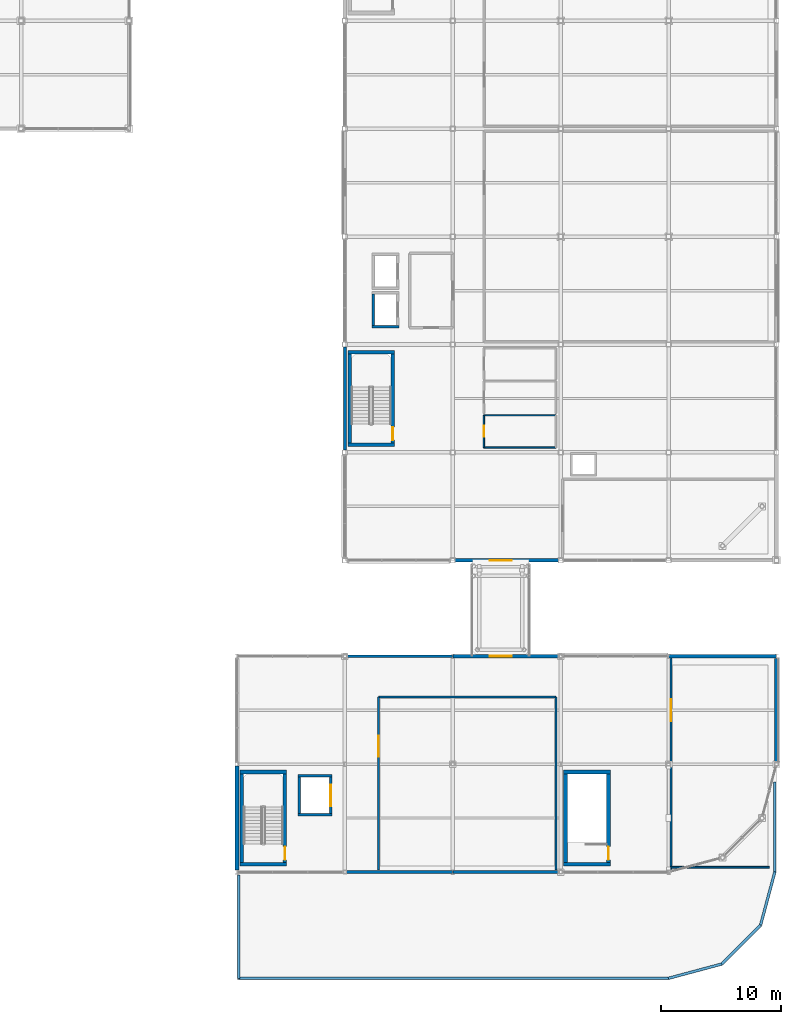
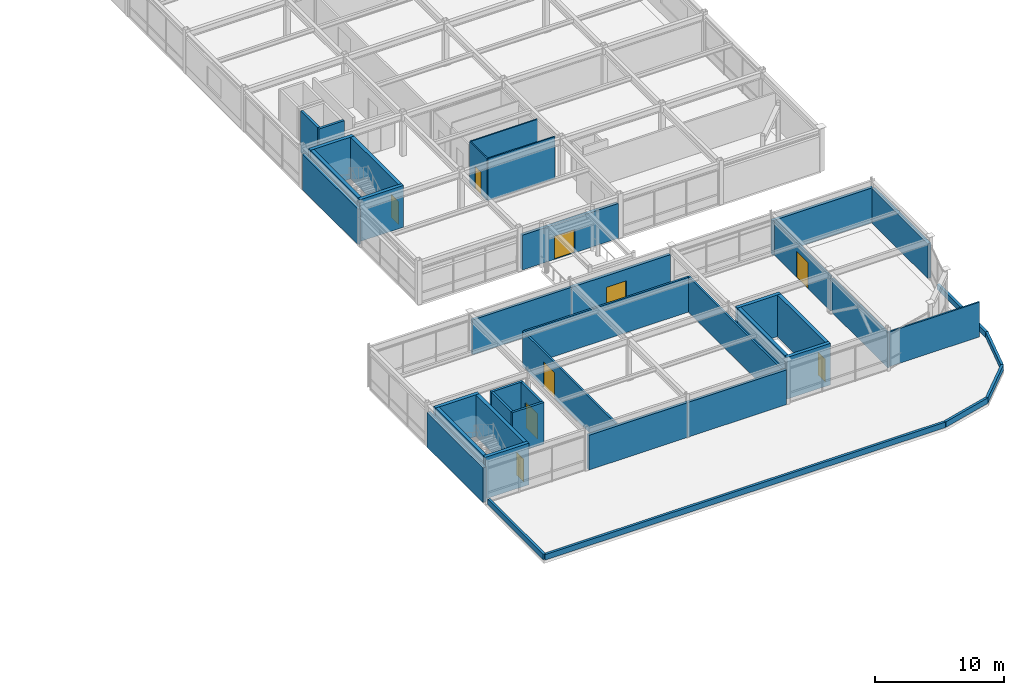
# One storey, part 49 of 70: 42 walls, 9 doors, 9 openings.
"""IFC4 building model written with IfcOpenShell, lengths in metres."""

from ifc_helpers import new_model, si_unit, direction, frame, frame_2d, origin, place, context, subcontext, project, spatial, rectangle, extrude, material, layer, layer_set, type_object, element, fill, save


model = new_model("IFC4")

# Units and contexts
model_context = context("Model", 3, precision=1e-05, world=origin(), true_north=direction((0.0, 1.0)))
body_context = subcontext(model_context, "Body", "Model", "MODEL_VIEW")
ifc_project = project(units=[si_unit("LENGTHUNIT", "METRE"), si_unit("AREAUNIT", "SQUARE_METRE"), si_unit("VOLUMEUNIT", "CUBIC_METRE"), si_unit("PLANEANGLEUNIT", "RADIAN"), si_unit("MASSUNIT", "GRAM", prefix="KILO")], contexts=[model_context])

# Site, building, storey
site_placement = place(None, origin())
site = spatial("IfcSite", under=ifc_project, at=site_placement, CompositionType="ELEMENT")
building_placement = place(site_placement, origin())
building = spatial("IfcBuilding", under=site, at=building_placement, Name="Suzunagisa Mobility Hub", CompositionType="ELEMENT")
storey_placement = place(building_placement, frame((0.0, 0.0, 13.5)))
storey = spatial("IfcBuildingStorey", under=building, at=storey_placement, Name="L03", CompositionType="ELEMENT", Elevation=13.5)

# Walls
ifc_material_1 = material(Name="Porcelain-Faced Insulated Concrete C30/37 Wall", Category="concrete")
ifc_layer_1 = layer(ifc_material_1, 0.260009765625)
ifc_layer_set_1 = layer_set([ifc_layer_1], Name="Porcelain-Faced Insulated Concrete C30/37 Wall")
wall_type_1 = type_object("IfcWallType", Name="Exterior Wall EW-03 260mm", PredefinedType="SOLIDWALL", material=ifc_layer_set_1)
wall_1_placement = place(storey_placement, frame((144.14990234375, 18.0, 0.0), z_axis=(0.0, 0.0, 1.0), x_axis=(1.0, 0.0, 0.0)))
element("IfcWall", 1, at=wall_1_placement, inside=storey, type_object=wall_type_1, Name="L03 Exterior Facade Wall EW-318", PredefinedType="SOLIDWALL", context=body_context, shape_type="SweptSolid", body=[
    extrude(rectangle(XDim=8.845703125, YDim=0.260009765625, at=frame_2d((4.4228515625, 0.0))), origin(), (0.0, 0.0, 1.0), 3.2900390625),
])
ifc_material_2 = material(Name="Lightweight Insulated Autoclaved Concrete C30/37 Wall", Category="concrete")
ifc_layer_2 = layer(ifc_material_2, 0.239990234375)
ifc_layer_set_2 = layer_set([ifc_layer_2], Name="Lightweight Insulated Autoclaved Concrete C30/37 Wall")
wall_type_2 = type_object("IfcWallType", Name="Exterior Wall EW-04 240mm", PredefinedType="SOLIDWALL", material=ifc_layer_set_2)
for number, where, z_axis, x_axis, name in (
    (2, (153.00439453125, 18.0, 0.0), (0.0, 0.0, 1.0), (1.0, 0.0, 0.0), "L03 Exterior Facade Wall EW-319"),
    (3, (152.99560546875, 36.0, 0.0), (0.0, 0.0, 1.0), (-1.0, 0.0, 0.0), "L03 Exterior Facade Wall EW-323"),
):
    element("IfcWall", number, at=place(storey_placement, frame(where, z_axis=z_axis, x_axis=x_axis)), inside=storey, type_object=wall_type_2, Name=name, PredefinedType="SOLIDWALL", context=body_context, shape_type="SweptSolid", body=[
        extrude(rectangle(XDim=8.845703125, YDim=0.239990234375, at=frame_2d((4.4228515625, 0.0))), origin(), (0.0, 0.0, 1.0), 3.2900390625),
    ])
wall_2_placement = place(storey_placement, frame((144.0, 61.800048828125, 0.0), z_axis=(0.0, 0.0, 1.0), x_axis=(0.0, -1.0, 0.0)))
element("IfcWall", 4, at=wall_2_placement, inside=storey, type_object=wall_type_2, Name="L03 Exterior Facade Wall EW-391", PredefinedType="SOLIDWALL", context=body_context, shape_type="SweptSolid", body=[
    extrude(rectangle(XDim=8.60009765625, YDim=0.239990234375, at=frame_2d((4.300048828125, 0.0))), origin(), (0.0, 0.0, 1.0), 3.362060546875),
])
ifc_material_3 = material(Name="Concrete C30/37", Category="concrete")
ifc_layer_3 = layer(ifc_material_3, 0.219970703125)
ifc_layer_set_3 = layer_set([ifc_layer_3], Name="Concrete C30/37")
wall_type_3 = type_object("IfcWallType", Name="Exterior Wall EW-05 220mm", PredefinedType="PARAPET", material=ifc_layer_set_3)
wall_3_placement = place(storey_placement, frame((135.139892578125, 9.139892578125, 0.0), z_axis=(0.0, 0.0, 1.0), x_axis=(0.0, 1.0, 0.0)))
element("IfcWall", 5, at=wall_3_placement, inside=storey, type_object=wall_type_3, Name="L03 Roof Setback Parapet PR-477", PredefinedType="PARAPET", context=body_context, shape_type="SweptSolid", body=[
    extrude(rectangle(XDim=8.610107421875, YDim=0.219970703125, at=frame_2d((4.30517578125, 0.0))), origin(), (0.0, 0.0, 1.0), 0.52001953125),
])
wall_4_placement = place(storey_placement, frame((179.860107421875, 25.51171875, 0.0), z_axis=(0.0, 0.0, 1.0), x_axis=(0.0, -1.0, 0.0)))
element("IfcWall", 6, at=wall_4_placement, inside=storey, type_object=wall_type_3, Name="L03 Roof Setback Parapet PR-478", PredefinedType="PARAPET", context=body_context, shape_type="SweptSolid", body=[
    extrude(rectangle(XDim=7.493408203125, YDim=0.219970703125, at=frame_2d((3.74658203125, 0.0))), origin(), (0.0, 0.0, 1.0), 0.52001953125),
])
wall_5_placement = place(storey_placement, frame((179.860107421875, 18.018310546875, 0.0), z_axis=(0.0, 0.0, 1.0), x_axis=(-0.258850976204, -0.965917269811, 0.0)))
element("IfcWall", 7, at=wall_5_placement, inside=storey, type_object=wall_type_3, Name="L03 Roof Setback Parapet PR-479", PredefinedType="PARAPET", context=body_context, shape_type="SweptSolid", body=[
    extrude(rectangle(XDim=4.602783203125, YDim=0.219970703125, at=frame_2d((2.30126953125, 0.0))), origin(), (0.0, 0.0, 1.0), 0.52001953125),
])
wall_6_placement = place(storey_placement, frame((178.668701171875, 13.572509765625, 0.0), z_axis=(0.0, 0.0, 1.0), x_axis=(-0.707106781187, -0.707106781187, 0.0)))
element("IfcWall", 8, at=wall_6_placement, inside=storey, type_object=wall_type_3, Name="L03 Roof Setback Parapet PR-480", PredefinedType="PARAPET", context=body_context, shape_type="SweptSolid", body=[
    extrude(rectangle(XDim=4.583740234375, YDim=0.219970703125, at=frame_2d((2.2919921875, 0.0))), origin(), (0.0, 0.0, 1.0), 0.52001953125),
])
wall_7_placement = place(storey_placement, frame((175.427490234375, 10.331298828125, 0.0), z_axis=(0.0, 0.0, 1.0), x_axis=(-0.965917269811, -0.258850976204, 0.0)))
element("IfcWall", 9, at=wall_7_placement, inside=storey, type_object=wall_type_3, Name="L03 Roof Setback Parapet PR-481", PredefinedType="PARAPET", context=body_context, shape_type="SweptSolid", body=[
    extrude(rectangle(XDim=4.602783203125, YDim=0.219970703125, at=frame_2d((2.30126953125, 0.0))), origin(), (0.0, 0.0, 1.0), 0.52001953125),
])
wall_8_placement = place(storey_placement, frame((170.981689453125, 9.139892578125, 0.0), z_axis=(0.0, 0.0, 1.0), x_axis=(-1.0, 0.0, 0.0)))
element("IfcWall", 10, at=wall_8_placement, inside=storey, type_object=wall_type_3, Name="L03 Roof Setback Parapet PR-482", PredefinedType="PARAPET", context=body_context, shape_type="SweptSolid", body=[
    extrude(rectangle(XDim=35.841796875, YDim=0.219970703125, at=frame_2d((17.9208984375, 0.0))), origin(), (0.0, 0.0, 1.0), 0.52001953125),
])
ifc_layer_4 = layer(ifc_material_1, 0.280029296875)
ifc_layer_set_4 = layer_set([ifc_layer_4], Name="Porcelain-Faced Insulated Concrete C30/37 Wall")
wall_type_4 = type_object("IfcWallType", Name="Exterior Wall EW-08 280mm", PredefinedType="SOLIDWALL", material=ifc_layer_set_4)
wall_9_placement = place(storey_placement, frame((179.99560546875, 36.0, 0.0), z_axis=(0.0, 0.0, 1.0), x_axis=(-1.0, 0.0, 0.0)))
element("IfcWall", 11, at=wall_9_placement, inside=storey, type_object=wall_type_4, Name="L03 Exterior Facade Wall EW-321", PredefinedType="SOLIDWALL", context=body_context, shape_type="SweptSolid", body=[
    extrude(rectangle(XDim=8.9912109375, YDim=0.280029296875, at=frame_2d((4.49560546875, 0.0))), origin(), (0.0, 0.0, 1.0), 3.2900390625),
])

# Wall, opening, door
wall_10_placement = place(storey_placement, frame((161.85009765625, 36.0, 0.0), z_axis=(0.0, 0.0, 1.0), x_axis=(-1.0, 0.0, 0.0)))
wall_10 = element("IfcWall", 12, at=wall_10_placement, inside=storey, type_object=wall_type_4, Name="L03 Skybridge Portal Facade Wall 322", PredefinedType="SOLIDWALL", context=body_context, shape_type="SweptSolid", body=[
    extrude(rectangle(XDim=8.845703125, YDim=0.280029296875, at=frame_2d((4.4228515625, 0.0))), origin(), (0.0, 0.0, 1.0), 3.2900390625),
])
opening_1_placement = place(wall_10_placement, frame((5.75, 0.0, 0.0), z_axis=(0.0, 0.0, 1.0), x_axis=(-1.0, 0.0, 0.0)))
opening_1 = element("IfcOpeningElement", 13, at=opening_1_placement, cuts=wall_10, Name="Opening ED-12", PredefinedType="OPENING", context=body_context, shape_type="SweptSolid", body=[
    extrude(rectangle(XDim=1.800048828125, YDim=2.199951171875, at=frame_2d((0.89990234375, 1.10009765625))), frame((0.0, 0.15087890625, 0.0), z_axis=(0.0, -1.0, 0.0), x_axis=(1.0, 0.0, 0.0)), (0.0, 0.0, 1.0), 0.302001953125),
])
ifc_material_4 = material(Name="Anodized Aluminum and Tempered Safety Glass", Category="aluminium")
door_type_1 = type_object("IfcDoorType", Name="Exterior Glazed Aluminum Door ED-12 1800x2200", OperationType="DOUBLE_DOOR_SINGLE_SWING", PredefinedType="DOOR", material=ifc_material_4)
door_1_placement = place(opening_1_placement, origin())
door_1 = element("IfcDoor", 14, at=door_1_placement, inside=storey, type_object=door_type_1, Name="L03 Skybridge Portal Glazed Door BD-35", OperationType="SINGLE_SWING_LEFT", OverallHeight=2.199951171875, OverallWidth=1.800048828125, PredefinedType="DOOR", context=body_context, shape_type="SweptSolid", body=[
    extrude(rectangle(XDim=1.800048828125, YDim=2.199951171875, at=frame_2d((0.89990234375, 1.10009765625))), frame((0.0, 0.02490234375, 0.0), z_axis=(0.0, -1.0, 0.0), x_axis=(1.0, 0.0, 0.0)), (0.0, 0.0, 1.0), 0.050048828125),
])
fill(opening_1, door_1)

wall_11_placement = place(storey_placement, frame((153.199951171875, 44.0, 0.0), z_axis=(0.0, 0.0, 1.0), x_axis=(1.0, 0.0, 0.0)))
wall_11 = element("IfcWall", 15, at=wall_11_placement, inside=storey, type_object=wall_type_4, Name="L03 Skybridge Portal Facade Wall 382", PredefinedType="SOLIDWALL", context=body_context, shape_type="SweptSolid", body=[
    extrude(rectangle(XDim=8.60009765625, YDim=0.280029296875, at=frame_2d((4.300048828125, 0.0))), origin(), (0.0, 0.0, 1.0), 3.300048828125),
])
opening_2_placement = place(wall_11_placement, frame((4.699951171875, 0.0, 0.0), z_axis=(0.0, 0.0, 1.0), x_axis=(-1.0, 0.0, 0.0)))
opening_2 = element("IfcOpeningElement", 16, at=opening_2_placement, cuts=wall_11, Name="Opening ED-12", PredefinedType="OPENING", context=body_context, shape_type="SweptSolid", body=[
    extrude(rectangle(XDim=1.800048828125, YDim=2.199951171875, at=frame_2d((0.89990234375, 1.10009765625))), frame((0.0, 0.15087890625, 0.0), z_axis=(0.0, -1.0, 0.0), x_axis=(1.0, 0.0, 0.0)), (0.0, 0.0, 1.0), 0.302001953125),
])
door_2_placement = place(opening_2_placement, origin())
door_2 = element("IfcDoor", 17, at=door_2_placement, inside=storey, type_object=door_type_1, Name="L03 Skybridge Portal Glazed Door BD-42", OperationType="SINGLE_SWING_LEFT", OverallHeight=2.199951171875, OverallWidth=1.800048828125, PredefinedType="DOOR", context=body_context, shape_type="SweptSolid", body=[
    extrude(rectangle(XDim=1.800048828125, YDim=2.199951171875, at=frame_2d((0.89990234375, 1.10009765625))), frame((0.0, 0.02490234375, 0.0), z_axis=(0.0, -1.0, 0.0), x_axis=(1.0, 0.0, 0.0)), (0.0, 0.0, 1.0), 0.050048828125),
])
fill(opening_2, door_2)

# Walls
ifc_material_5 = material(Name="Insulated Precast Concrete C35/45 Panel", Category="concrete")
ifc_layer_5 = layer(ifc_material_5, 0.300048828125)
ifc_layer_set_5 = layer_set([ifc_layer_5], Name="Insulated Precast Concrete C35/45 Panel")
wall_type_5 = type_object("IfcWallType", Name="Exterior Wall EW-09 300mm", PredefinedType="SOLIDWALL", material=ifc_layer_set_5)
for number, where, z_axis, x_axis, name in (
    (18, (180.0, 27.14990234375, 0.0), (0.0, 0.0, 1.0), (0.0, 1.0, 0.0), "L03 Exterior Facade Wall EW-320"),
    (19, (135.0, 26.85009765625, 0.0), (0.0, 0.0, 1.0), (0.0, -1.0, 0.0), "L03 Exterior Facade Wall EW-324"),
):
    element("IfcWall", number, at=place(storey_placement, frame(where, z_axis=z_axis, x_axis=x_axis)), inside=storey, type_object=wall_type_5, Name=name, PredefinedType="SOLIDWALL", context=body_context, shape_type="SweptSolid", body=[
        extrude(rectangle(XDim=8.68017578125, YDim=0.300048828125, at=frame_2d((4.340087890625, 0.0))), origin(), (0.0, 0.0, 1.0), 3.2900390625),
    ])
ifc_material_6 = material(Name="Concrete C35/45", Category="concrete")
ifc_layer_6 = layer(ifc_material_6, 0.31005859375)
ifc_layer_set_6 = layer_set([ifc_layer_6], Name="Concrete C35/45")
wall_type_6 = type_object("IfcWallType", Name="Interior Wall IW-01 310mm", PredefinedType="SHEAR", material=ifc_layer_set_6)
for number, where, z_axis, x_axis, name in (
    (20, (135.25, 18.64501953125, 0.0), (0.0, 0.0, 1.0), (1.0, 0.0, 0.0), "L03 Core C7 Shear Wall SW-333"),
    (21, (135.25, 26.35498046875, 0.0), (0.0, 0.0, 1.0), (1.0, 0.0, 0.0), "L03 Core C7 Shear Wall SW-334"),
):
    element("IfcWall", number, at=place(storey_placement, frame(where, z_axis=z_axis, x_axis=x_axis)), inside=storey, type_object=wall_type_6, Name=name, PredefinedType="SHEAR", context=body_context, shape_type="SweptSolid", body=[
        extrude(rectangle(XDim=3.89990234375, YDim=0.31005859375, at=frame_2d((1.949951171875, 0.0))), origin(), (0.0, 0.0, 1.0), 3.93994140625),
    ])
wall_12_placement = place(storey_placement, frame((135.405029296875, 18.800048828125, 0.0), z_axis=(0.0, 0.0, 1.0), x_axis=(0.0, 1.0, 0.0)))
element("IfcWall", 22, at=wall_12_placement, inside=storey, type_object=wall_type_6, Name="L03 Core C7 Shear Wall SW-335", PredefinedType="SHEAR", context=body_context, shape_type="SweptSolid", body=[
    extrude(rectangle(XDim=7.39990234375, YDim=0.31005859375, at=frame_2d((3.699951171875, 0.0))), origin(), (0.0, 0.0, 1.0), 3.93994140625),
])

# Wall, opening, door
wall_13_placement = place(storey_placement, frame((138.9951171875, 18.800048828125, 0.0), z_axis=(0.0, 0.0, 1.0), x_axis=(0.0, 1.0, 0.0)))
wall_13 = element("IfcWall", 23, at=wall_13_placement, inside=storey, type_object=wall_type_6, Name="L03 Core C7 Shear Wall SW-336", PredefinedType="SHEAR", context=body_context, shape_type="SweptSolid", body=[
    extrude(rectangle(XDim=7.39990234375, YDim=0.31005859375, at=frame_2d((3.699951171875, 0.0))), origin(), (0.0, 0.0, 1.0), 3.93994140625),
])
opening_3_placement = place(wall_13_placement, frame((0.219970703125, 0.0, 0.0)))
opening_3 = element("IfcOpeningElement", 24, at=opening_3_placement, cuts=wall_13, Name="Opening DR-05", PredefinedType="OPENING", context=body_context, shape_type="SweptSolid", body=[
    extrude(rectangle(XDim=1.10009765625, YDim=2.14990234375, at=frame_2d((0.550048828125, 1.074951171875))), frame((0.0, 0.166015625, 0.0), z_axis=(0.0, -1.0, 0.0), x_axis=(1.0, 0.0, 0.0)), (0.0, 0.0, 1.0), 0.33203125),
])
ifc_material_7 = material(Name="Fire-Rated Hollow Steel Stair Door", Category="steel")
door_type_2 = type_object("IfcDoorType", Name="Interior Door DR-05 1100x2150", OperationType="SINGLE_SWING_LEFT", PredefinedType="DOOR", material=ifc_material_7)
door_3_placement = place(opening_3_placement, origin())
door_3 = element("IfcDoor", 25, at=door_3_placement, inside=storey, type_object=door_type_2, Name="L03 Core C7 Escape Stair Fire Door SD-82", OperationType="SINGLE_SWING_RIGHT", OverallHeight=2.14990234375, OverallWidth=1.10009765625, PredefinedType="DOOR", context=body_context, shape_type="SweptSolid", body=[
    extrude(rectangle(XDim=1.10009765625, YDim=2.14990234375, at=frame_2d((0.550048828125, 1.074951171875))), frame((0.0, 0.02490234375, 0.0), z_axis=(0.0, -1.0, 0.0), x_axis=(1.0, 0.0, 0.0)), (0.0, 0.0, 1.0), 0.050048828125),
])
fill(opening_3, door_3)

# Walls
for number, where, z_axis, x_axis, name in (
    (26, (162.25, 18.64501953125, 0.0), (0.0, 0.0, 1.0), (1.0, 0.0, 0.0), "L03 Core C7B Shear Wall SW-361"),
    (27, (162.25, 26.35498046875, 0.0), (0.0, 0.0, 1.0), (1.0, 0.0, 0.0), "L03 Core C7B Shear Wall SW-362"),
):
    element("IfcWall", number, at=place(storey_placement, frame(where, z_axis=z_axis, x_axis=x_axis)), inside=storey, type_object=wall_type_6, Name=name, PredefinedType="SHEAR", context=body_context, shape_type="SweptSolid", body=[
        extrude(rectangle(XDim=3.89990234375, YDim=0.31005859375, at=frame_2d((1.949951171875, 0.0))), origin(), (0.0, 0.0, 1.0), 3.93994140625),
    ])
wall_14_placement = place(storey_placement, frame((162.405029296875, 18.800048828125, 0.0), z_axis=(0.0, 0.0, 1.0), x_axis=(0.0, 1.0, 0.0)))
element("IfcWall", 28, at=wall_14_placement, inside=storey, type_object=wall_type_6, Name="L03 Core C7B Shear Wall SW-363", PredefinedType="SHEAR", context=body_context, shape_type="SweptSolid", body=[
    extrude(rectangle(XDim=7.39990234375, YDim=0.31005859375, at=frame_2d((3.699951171875, 0.0))), origin(), (0.0, 0.0, 1.0), 3.93994140625),
])

# Wall, opening, door
wall_15_placement = place(storey_placement, frame((165.9951171875, 18.800048828125, 0.0), z_axis=(0.0, 0.0, 1.0), x_axis=(0.0, 1.0, 0.0)))
wall_15 = element("IfcWall", 29, at=wall_15_placement, inside=storey, type_object=wall_type_6, Name="L03 Core C7B Shear Wall SW-364", PredefinedType="SHEAR", context=body_context, shape_type="SweptSolid", body=[
    extrude(rectangle(XDim=7.39990234375, YDim=0.31005859375, at=frame_2d((3.699951171875, 0.0))), origin(), (0.0, 0.0, 1.0), 3.93994140625),
])
opening_4_placement = place(wall_15_placement, frame((0.219970703125, 0.0, 0.0)))
opening_4 = element("IfcOpeningElement", 30, at=opening_4_placement, cuts=wall_15, Name="Opening DR-05", PredefinedType="OPENING", context=body_context, shape_type="SweptSolid", body=[
    extrude(rectangle(XDim=1.10009765625, YDim=2.14990234375, at=frame_2d((0.550048828125, 1.074951171875))), frame((0.0, 0.166015625, 0.0), z_axis=(0.0, -1.0, 0.0), x_axis=(1.0, 0.0, 0.0)), (0.0, 0.0, 1.0), 0.33203125),
])
door_4_placement = place(opening_4_placement, origin())
door_4 = element("IfcDoor", 31, at=door_4_placement, inside=storey, type_object=door_type_2, Name="L03 Core C7B Escape Stair Fire Door SD-88", OperationType="SINGLE_SWING_LEFT", OverallHeight=2.14990234375, OverallWidth=1.10009765625, PredefinedType="DOOR", context=body_context, shape_type="SweptSolid", body=[
    extrude(rectangle(XDim=1.10009765625, YDim=2.14990234375, at=frame_2d((0.550048828125, 1.074951171875))), frame((0.0, 0.02490234375, 0.0), z_axis=(0.0, -1.0, 0.0), x_axis=(1.0, 0.0, 0.0)), (0.0, 0.0, 1.0), 0.050048828125),
])
fill(opening_4, door_4)

# Walls
for number, where, z_axis, x_axis, name in (
    (32, (144.25, 53.64501953125, 0.0), (0.0, 0.0, 1.0), (1.0, 0.0, 0.0), "L03 Core C5 Shear Wall SW-413"),
    (33, (144.25, 61.35498046875, 0.0), (0.0, 0.0, 1.0), (1.0, 0.0, 0.0), "L03 Core C5 Shear Wall SW-414"),
):
    element("IfcWall", number, at=place(storey_placement, frame(where, z_axis=z_axis, x_axis=x_axis)), inside=storey, type_object=wall_type_6, Name=name, PredefinedType="SHEAR", context=body_context, shape_type="SweptSolid", body=[
        extrude(rectangle(XDim=3.89990234375, YDim=0.31005859375, at=frame_2d((1.949951171875, 0.0))), origin(), (0.0, 0.0, 1.0), 3.949951171875),
    ])
wall_16_placement = place(storey_placement, frame((144.405029296875, 53.800048828125, 0.0), z_axis=(0.0, 0.0, 1.0), x_axis=(0.0, 1.0, 0.0)))
element("IfcWall", 34, at=wall_16_placement, inside=storey, type_object=wall_type_6, Name="L03 Core C5 Shear Wall SW-415", PredefinedType="SHEAR", context=body_context, shape_type="SweptSolid", body=[
    extrude(rectangle(XDim=7.39990234375, YDim=0.31005859375, at=frame_2d((3.699951171875, 0.0))), origin(), (0.0, 0.0, 1.0), 3.949951171875),
])

# Wall, opening, door
wall_17_placement = place(storey_placement, frame((147.9951171875, 53.800048828125, 0.0), z_axis=(0.0, 0.0, 1.0), x_axis=(0.0, 1.0, 0.0)))
wall_17 = element("IfcWall", 35, at=wall_17_placement, inside=storey, type_object=wall_type_6, Name="L03 Core C5 Shear Wall SW-416", PredefinedType="SHEAR", context=body_context, shape_type="SweptSolid", body=[
    extrude(rectangle(XDim=7.39990234375, YDim=0.31005859375, at=frame_2d((3.699951171875, 0.0))), origin(), (0.0, 0.0, 1.0), 3.949951171875),
])
opening_5_placement = place(wall_17_placement, frame((0.219970703125, 0.0, 0.0)))
opening_5 = element("IfcOpeningElement", 36, at=opening_5_placement, cuts=wall_17, Name="Opening DR-05", PredefinedType="OPENING", context=body_context, shape_type="SweptSolid", body=[
    extrude(rectangle(XDim=1.10009765625, YDim=2.14990234375, at=frame_2d((0.550048828125, 1.074951171875))), frame((0.0, 0.166015625, 0.0), z_axis=(0.0, -1.0, 0.0), x_axis=(1.0, 0.0, 0.0)), (0.0, 0.0, 1.0), 0.33203125),
])
door_5_placement = place(opening_5_placement, origin())
door_5 = element("IfcDoor", 37, at=door_5_placement, inside=storey, type_object=door_type_2, Name="L03 Core C5 Escape Stair Fire Door SD-101", OperationType="SINGLE_SWING_RIGHT", OverallHeight=2.14990234375, OverallWidth=1.10009765625, PredefinedType="DOOR", context=body_context, shape_type="SweptSolid", body=[
    extrude(rectangle(XDim=1.10009765625, YDim=2.14990234375, at=frame_2d((0.550048828125, 1.074951171875))), frame((0.0, 0.02490234375, 0.0), z_axis=(0.0, -1.0, 0.0), x_axis=(1.0, 0.0, 0.0)), (0.0, 0.0, 1.0), 0.050048828125),
])
fill(opening_5, door_5)

# Walls
ifc_material_8 = material(Name="Moisture-Resistant Gypsum Partition", Category="gypsum")
ifc_layer_7 = layer(ifc_material_8, 0.1201171875)
ifc_layer_set_7 = layer_set([ifc_layer_7], Name="Moisture-Resistant Gypsum Partition")
wall_type_7 = type_object("IfcWallType", Name="Interior Wall IW-02 120mm", PredefinedType="PARTITIONING", material=ifc_layer_set_7)
for number, where, z_axis, x_axis, name in (
    (38, (155.60009765625, 53.39990234375, 0.0), (0.0, 0.0, 1.0), (1.0, 0.0, 0.0), "L03 Male Restroom WC L03 Partition PW-605"),
    (39, (155.60009765625, 56.10009765625, 0.0), (0.0, 0.0, 1.0), (1.0, 0.0, 0.0), "L03 Male Restroom WC L03 Partition PW-606"),
):
    element("IfcWall", number, at=place(storey_placement, frame(where, z_axis=z_axis, x_axis=x_axis)), inside=storey, type_object=wall_type_7, Name=name, PredefinedType="PARTITIONING", context=body_context, shape_type="SweptSolid", body=[
        extrude(rectangle(XDim=6.0, YDim=0.1201171875, at=frame_2d((3.0, 0.0))), origin(), (0.0, 0.0, 1.0), 3.949951171875),
    ])

# Wall, opening, door
wall_18_placement = place(storey_placement, frame((155.60009765625, 53.39990234375, 0.0), z_axis=(0.0, 0.0, 1.0), x_axis=(0.0, 1.0, 0.0)))
wall_18 = element("IfcWall", 40, at=wall_18_placement, inside=storey, type_object=wall_type_7, Name="L03 Male Restroom WC L03 Partition PW-607", PredefinedType="PARTITIONING", context=body_context, shape_type="SweptSolid", body=[
    extrude(rectangle(XDim=2.7001953125, YDim=0.1201171875, at=frame_2d((1.35009765625, 0.0))), origin(), (0.0, 0.0, 1.0), 3.949951171875),
])
opening_6_placement = place(wall_18_placement, frame((0.889892578125, 0.0, 0.0)))
opening_6 = element("IfcOpeningElement", 41, at=opening_6_placement, cuts=wall_18, Name="Opening DR-02", PredefinedType="OPENING", context=body_context, shape_type="SweptSolid", body=[
    extrude(rectangle(XDim=0.919921875, YDim=2.10009765625, at=frame_2d((0.4599609375, 1.050048828125))), frame((0.0, 0.071044921875, 0.0), z_axis=(0.0, -1.0, 0.0), x_axis=(1.0, 0.0, 0.0)), (0.0, 0.0, 1.0), 0.14208984375),
])
ifc_material_9 = material(Name="Sanitary Restroom Laminate Door")
door_type_3 = type_object("IfcDoorType", Name="Interior Door DR-02 920x2100", OperationType="SINGLE_SWING_LEFT", PredefinedType="DOOR", material=ifc_material_9)
door_6_placement = place(opening_6_placement, origin())
door_6 = element("IfcDoor", 42, at=door_6_placement, inside=storey, type_object=door_type_3, Name="L03 Male Restroom WC L03 Door DR-149", OperationType="SINGLE_SWING_RIGHT", OverallHeight=2.10009765625, OverallWidth=0.919921875, PredefinedType="DOOR", context=body_context, shape_type="SweptSolid", body=[
    extrude(rectangle(XDim=0.919921875, YDim=2.10009765625, at=frame_2d((0.4599609375, 1.050048828125))), frame((0.0, 0.02490234375, 0.0), z_axis=(0.0, -1.0, 0.0), x_axis=(1.0, 0.0, 0.0)), (0.0, 0.0, 1.0), 0.050048828125),
])
fill(opening_6, door_6)

ifc_material_10 = material(Name="Fire-Rated Gypsum Stud Partition", Category="gypsum")
ifc_layer_8 = layer(ifc_material_10, 0.2099609375)
ifc_layer_set_8 = layer_set([ifc_layer_8], Name="Fire-Rated Gypsum Stud Partition")
wall_type_8 = type_object("IfcWallType", Name="Interior Wall IW-03 210mm", PredefinedType="PARTITIONING", material=ifc_layer_set_8)
wall_19_placement = place(storey_placement, frame((142.824951171875, 22.8798828125, 0.0), z_axis=(0.0, 0.0, 1.0), x_axis=(0.0, 1.0, 0.0)))
wall_19 = element("IfcWall", 43, at=wall_19_placement, inside=storey, type_object=wall_type_8, Name="L03 Lift LF-08 Shaft Front Wall", PredefinedType="PARTITIONING", context=body_context, shape_type="SweptSolid", body=[
    extrude(rectangle(XDim=3.0400390625, YDim=0.2099609375, at=frame_2d((1.52001953125, 0.0))), origin(), (0.0, 0.0, 1.0), 3.93994140625),
])
opening_7_placement = place(wall_19_placement, frame((0.6201171875, 0.0, 0.0)))
opening_7 = element("IfcOpeningElement", 44, at=opening_7_placement, cuts=wall_19, Name="Opening LD-04", PredefinedType="OPENING", context=body_context, shape_type="SweptSolid", body=[
    extrude(rectangle(XDim=1.800048828125, YDim=2.39990234375, at=frame_2d((0.89990234375, 1.199951171875))), frame((0.0, 0.115966796875, 0.0), z_axis=(0.0, -1.0, 0.0), x_axis=(1.0, 0.0, 0.0)), (0.0, 0.0, 1.0), 0.23193359375),
])
ifc_material_11 = material(Name="Brushed Stainless Steel SUS304", Category="metal")
door_type_4 = type_object("IfcDoorType", Name="Lift Landing Sliding Door LD-04 1800x2400", OperationType="SLIDING_TO_LEFT", PredefinedType="DOOR", material=ifc_material_11)
door_7_placement = place(opening_7_placement, origin())
door_7 = element("IfcDoor", 45, at=door_7_placement, inside=storey, type_object=door_type_4, Name="L03 Lift LF-08 Sliding Landing Door", OperationType="SLIDING_TO_LEFT", OverallHeight=2.39990234375, OverallWidth=1.800048828125, PredefinedType="DOOR", context=body_context, shape_type="SweptSolid", body=[
    extrude(rectangle(XDim=1.800048828125, YDim=2.39990234375, at=frame_2d((0.89990234375, 1.199951171875))), frame((0.0, 0.02490234375, 0.0), z_axis=(0.0, -1.0, 0.0), x_axis=(1.0, 0.0, 0.0)), (0.0, 0.0, 1.0), 0.050048828125),
])
fill(opening_7, door_7)

# Walls
wall_20_placement = place(storey_placement, frame((140.175048828125, 22.8798828125, 0.0), z_axis=(0.0, 0.0, 1.0), x_axis=(0.0, 1.0, 0.0)))
element("IfcWall", 46, at=wall_20_placement, inside=storey, type_object=wall_type_8, Name="L03 Lift LF-08 Shaft Back Wall", PredefinedType="PARTITIONING", context=body_context, shape_type="SweptSolid", body=[
    extrude(rectangle(XDim=3.0400390625, YDim=0.2099609375, at=frame_2d((1.52001953125, 0.0))), origin(), (0.0, 0.0, 1.0), 3.93994140625),
])
for number, where, z_axis, x_axis, name in (
    (47, (140.070068359375, 22.77490234375, 0.0), (0.0, 0.0, 1.0), (1.0, 0.0, 0.0), "L03 Lift LF-08 Shaft South Wall"),
    (48, (140.070068359375, 26.02490234375, 0.0), (0.0, 0.0, 1.0), (1.0, 0.0, 0.0), "L03 Lift LF-08 Shaft North Wall"),
):
    element("IfcWall", number, at=place(storey_placement, frame(where, z_axis=z_axis, x_axis=x_axis)), inside=storey, type_object=wall_type_8, Name=name, PredefinedType="PARTITIONING", context=body_context, shape_type="SweptSolid", body=[
        extrude(rectangle(XDim=2.85986328125, YDim=0.2099609375, at=frame_2d((1.429931640625, 0.0))), origin(), (0.0, 0.0, 1.0), 3.93994140625),
    ])
wall_21_placement = place(storey_placement, frame((146.375, 63.580078125, 0.0), z_axis=(0.0, 0.0, 1.0), x_axis=(0.0, 1.0, 0.0)))
element("IfcWall", 49, at=wall_21_placement, inside=storey, type_object=wall_type_8, Name="L03 Lift LF-05 Shaft Back Wall", PredefinedType="PARTITIONING", context=body_context, shape_type="SweptSolid", body=[
    extrude(rectangle(XDim=2.639892578125, YDim=0.2099609375, at=frame_2d((1.31982421875, 0.0))), origin(), (0.0, 0.0, 1.0), 3.949951171875),
])
wall_22_placement = place(storey_placement, frame((146.27001953125, 63.47509765625, 0.0), z_axis=(0.0, 0.0, 1.0), x_axis=(1.0, 0.0, 0.0)))
element("IfcWall", 50, at=wall_22_placement, inside=storey, type_object=wall_type_8, Name="L03 Lift LF-05 Shaft South Wall", PredefinedType="PARTITIONING", context=body_context, shape_type="SweptSolid", body=[
    extrude(rectangle(XDim=2.260009765625, YDim=0.2099609375, at=frame_2d((1.1298828125, 0.0))), origin(), (0.0, 0.0, 1.0), 3.949951171875),
])
ifc_layer_9 = layer(ifc_material_10, 0.169921875)
ifc_layer_set_9 = layer_set([ifc_layer_9], Name="Fire-Rated Gypsum Stud Partition")
wall_type_9 = type_object("IfcWallType", Name="Interior Wall IW-05 170mm", PredefinedType="PARTITIONING", material=ifc_layer_set_9)
wall_23_placement = place(storey_placement, frame((146.800048828125, 32.60009765625, 0.0), z_axis=(0.0, 0.0, 1.0), x_axis=(1.0, 0.0, 0.0)))
element("IfcWall", 51, at=wall_23_placement, inside=storey, type_object=wall_type_9, Name="L03 Emergency Relief Logistics and Equipment Hall L03 Partition PW-845", PredefinedType="PARTITIONING", context=body_context, shape_type="SweptSolid", body=[
    extrude(rectangle(XDim=14.800048828125, YDim=0.169921875, at=frame_2d((7.39990234375, 0.0))), origin(), (0.0, 0.0, 1.0), 3.2900390625),
])

# Wall, opening, door
wall_24_placement = place(storey_placement, frame((146.800048828125, 18.1650390625, 0.0), z_axis=(0.0, 0.0, 1.0), x_axis=(0.0, 1.0, 0.0)))
wall_24 = element("IfcWall", 52, at=wall_24_placement, inside=storey, type_object=wall_type_9, Name="L03 Emergency Relief Logistics and Equipment Hall L03 Partition PW-846", PredefinedType="PARTITIONING", context=body_context, shape_type="SweptSolid", body=[
    extrude(rectangle(XDim=14.43505859375, YDim=0.169921875, at=frame_2d((7.217529296875, 0.0))), origin(), (0.0, 0.0, 1.0), 3.340087890625),
])
opening_8_placement = place(wall_24_placement, frame((9.47509765625, 0.0, 0.0)))
opening_8 = element("IfcOpeningElement", 53, at=opening_8_placement, cuts=wall_24, Name="Opening DR-07", PredefinedType="OPENING", context=body_context, shape_type="SweptSolid", body=[
    extrude(rectangle(XDim=1.719970703125, YDim=2.39990234375, at=frame_2d((0.85986328125, 1.199951171875))), frame((0.0, 0.095947265625, 0.0), z_axis=(0.0, -1.0, 0.0), x_axis=(1.0, 0.0, 0.0)), (0.0, 0.0, 1.0), 0.19189453125),
])
ifc_material_12 = material(Name="Anodized Aluminum Double Hall Door", Category="aluminium")
door_type_5 = type_object("IfcDoorType", Name="Interior Door DR-07 1720x2400", OperationType="SINGLE_SWING_LEFT", PredefinedType="DOOR", material=ifc_material_12)
door_8_placement = place(opening_8_placement, origin())
door_8 = element("IfcDoor", 54, at=door_8_placement, inside=storey, type_object=door_type_5, Name="L03 Emergency Relief Logistics and Equipment Hall L03 Door DR-211", OperationType="SINGLE_SWING_RIGHT", OverallHeight=2.39990234375, OverallWidth=1.719970703125, PredefinedType="DOOR", context=body_context, shape_type="SweptSolid", body=[
    extrude(rectangle(XDim=1.719970703125, YDim=2.39990234375, at=frame_2d((0.85986328125, 1.199951171875))), frame((0.0, 0.02490234375, 0.0), z_axis=(0.0, -1.0, 0.0), x_axis=(1.0, 0.0, 0.0)), (0.0, 0.0, 1.0), 0.050048828125),
])
fill(opening_8, door_8)

# Walls
wall_25_placement = place(storey_placement, frame((161.60009765625, 18.1650390625, 0.0), z_axis=(0.0, 0.0, 1.0), x_axis=(0.0, 1.0, 0.0)))
element("IfcWall", 55, at=wall_25_placement, inside=storey, type_object=wall_type_9, Name="L03 Emergency Relief Logistics and Equipment Hall L03 Partition PW-847", PredefinedType="PARTITIONING", context=body_context, shape_type="SweptSolid", body=[
    extrude(rectangle(XDim=14.43505859375, YDim=0.169921875, at=frame_2d((7.217529296875, 0.0))), origin(), (0.0, 0.0, 1.0), 3.340087890625),
])
ifc_material_13 = material(Name="Acoustic Steel-Stud Gypsum Partition", Category="steel")
ifc_layer_10 = layer(ifc_material_13, 0.14501953125)
ifc_layer_set_10 = layer_set([ifc_layer_10], Name="Acoustic Steel-Stud Gypsum Partition")
wall_type_10 = type_object("IfcWallType", Name="Interior Wall IW-06 145mm", PredefinedType="PARTITIONING", material=ifc_layer_set_10)
wall_26_placement = place(storey_placement, frame((171.199951171875, 18.39990234375, 0.0), z_axis=(0.0, 0.0, 1.0), x_axis=(1.0, 0.0, 0.0)))
element("IfcWall", 56, at=wall_26_placement, inside=storey, type_object=wall_type_10, Name="L03 Clean-Energy Shuttle Maintenance Studio L03 Partition PW-848", PredefinedType="PARTITIONING", context=body_context, shape_type="SweptSolid", body=[
    extrude(rectangle(XDim=8.199951171875, YDim=0.14501953125, at=frame_2d((4.10009765625, 0.0))), origin(), (0.0, 0.0, 1.0), 3.2900390625),
])
wall_27_placement = place(storey_placement, frame((171.199951171875, 18.218505859375, 0.0), z_axis=(0.0, 0.0, 1.0), x_axis=(0.0, 1.0, 0.0)))
element("IfcWall", 57, at=wall_27_placement, inside=storey, type_object=wall_type_10, Name="L03 Clean-Energy Shuttle Maintenance Studio L03 Partition PW-849", PredefinedType="PARTITIONING", context=body_context, shape_type="SweptSolid", body=[
    extrude(rectangle(XDim=8.631591796875, YDim=0.14501953125, at=frame_2d((4.31591796875, 0.0))), origin(), (0.0, 0.0, 1.0), 3.2900390625),
])

# Wall, opening, door
wall_28_placement = place(storey_placement, frame((171.199951171875, 27.14990234375, 0.0), z_axis=(0.0, 0.0, 1.0), x_axis=(0.0, 1.0, 0.0)))
wall_28 = element("IfcWall", 58, at=wall_28_placement, inside=storey, type_object=wall_type_10, Name="L03 Clean-Energy Shuttle Maintenance Studio L03 Partition PW-850", PredefinedType="PARTITIONING", context=body_context, shape_type="SweptSolid", body=[
    extrude(rectangle(XDim=8.68505859375, YDim=0.14501953125, at=frame_2d((4.342529296875, 0.0))), origin(), (0.0, 0.0, 1.0), 3.2900390625),
])
opening_9_placement = place(wall_28_placement, frame((3.43994140625, 0.0, 0.0)))
opening_9 = element("IfcOpeningElement", 59, at=opening_9_placement, cuts=wall_28, Name="Opening DR-14", PredefinedType="OPENING", context=body_context, shape_type="SweptSolid", body=[
    extrude(rectangle(XDim=1.820068359375, YDim=2.449951171875, at=frame_2d((0.91015625, 1.22509765625))), frame((0.0, 0.08349609375, 0.0), z_axis=(0.0, -1.0, 0.0), x_axis=(1.0, 0.0, 0.0)), (0.0, 0.0, 1.0), 0.1669921875),
])
ifc_material_14 = material(Name="Anodized Aluminum Double Concourse Door", Category="aluminium")
door_type_6 = type_object("IfcDoorType", Name="Interior Door DR-14 1820x2450", OperationType="SINGLE_SWING_LEFT", PredefinedType="DOOR", material=ifc_material_14)
door_9_placement = place(opening_9_placement, origin())
door_9 = element("IfcDoor", 60, at=door_9_placement, inside=storey, type_object=door_type_6, Name="L03 Clean-Energy Shuttle Maintenance Studio L03 Door DR-212", OperationType="SINGLE_SWING_LEFT", OverallHeight=2.449951171875, OverallWidth=1.820068359375, PredefinedType="DOOR", context=body_context, shape_type="SweptSolid", body=[
    extrude(rectangle(XDim=1.820068359375, YDim=2.449951171875, at=frame_2d((0.91015625, 1.22509765625))), frame((0.0, 0.02490234375, 0.0), z_axis=(0.0, -1.0, 0.0), x_axis=(1.0, 0.0, 0.0)), (0.0, 0.0, 1.0), 0.050048828125),
])
fill(opening_9, door_9)

save(model, "model.ifc")
